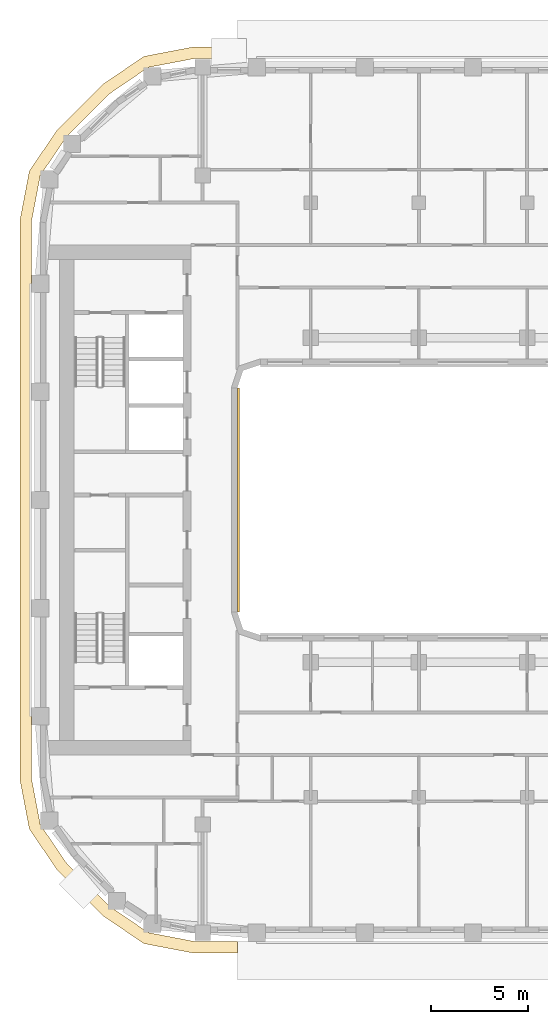
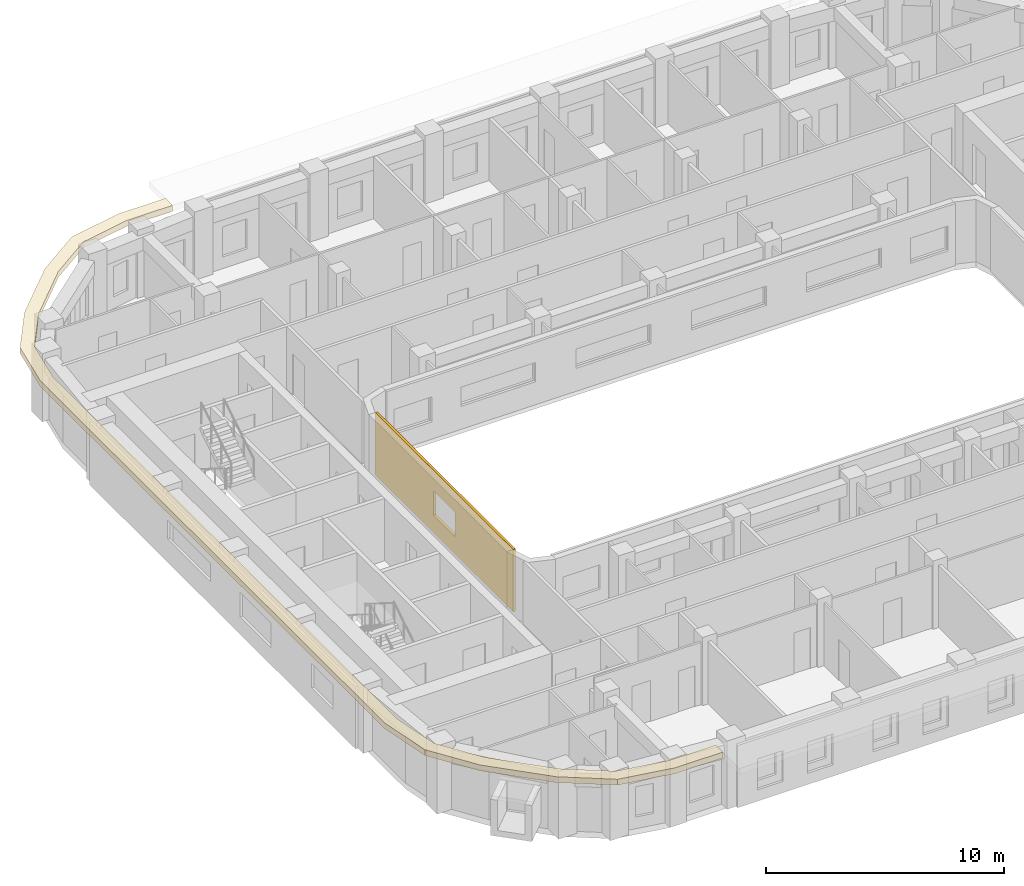
# One storey, part 13 of 21: 2 coverings.
"""IFC4 building model written with IfcOpenShell, lengths in metres."""

from ifc_helpers import new_model, si_unit, direction, frame, origin, place, context, subcontext, project, spatial, polyline, outline, extrude, material, layer, layer_set, type_object, element, save


model = new_model("IFC4")

# Units and contexts
model_context = context("Model", 3, precision=1e-05, world=origin(), true_north=direction((0.0, 1.0)))
body_context = subcontext(model_context, "Body", "Model", "MODEL_VIEW")
ifc_project = project(units=[si_unit("LENGTHUNIT", "METRE"), si_unit("AREAUNIT", "SQUARE_METRE"), si_unit("VOLUMEUNIT", "CUBIC_METRE"), si_unit("PLANEANGLEUNIT", "RADIAN"), si_unit("MASSUNIT", "GRAM", prefix="KILO")], contexts=[model_context])

# Site, building, storey
site_placement = place(None, origin())
site = spatial("IfcSite", under=ifc_project, at=site_placement, CompositionType="ELEMENT")
building_placement = place(site_placement, origin())
building = spatial("IfcBuilding", under=site, at=building_placement, Name="Kiln Ring Residences", CompositionType="ELEMENT")
storey_placement = place(building_placement, frame((0.0, 0.0, 195.89990234375)))
storey = spatial("IfcBuildingStorey", under=building, at=storey_placement, Name="L50", CompositionType="ELEMENT", Elevation=195.89990234375)

# Coverings
ifc_material_1 = material(Name="Brick masonry, dark clay brick", Category="masonry")
ifc_layer_1 = layer(ifc_material_1, 0.1201171875)
ifc_layer_set_1 = layer_set([ifc_layer_1], Name="RAINSCREEN PANEL 120")
covering_type_1 = type_object("IfcCoveringType", Name="RAINSCREEN PANEL 120", PredefinedType="CLADDING", material=ifc_layer_set_1)
covering_1_placement = place(storey_placement, frame((-14.93994140625, -5.800048828125, 0.0), z_axis=(0.0, 0.0, 1.0), x_axis=(0.0, 1.0, 0.0)))
element("IfcCovering", 1, at=covering_1_placement, inside=storey, type_object=covering_type_1, Name="RAINSCREEN L50", PredefinedType="CLADDING", context=body_context, shape_type="SweptSolid", body=[
    extrude(outline(polyline([(0.0, 0.0), (11.60009765625, 0.0), (11.60009765625, 3.2001953125), (0.0, 3.2001953125), (0.0, 0.0)]), holes=[polyline([(4.89990234375, 2.150146484375), (4.89990234375, 0.900146484375), (6.699951171875, 0.900146484375), (6.699951171875, 2.150146484375), (4.89990234375, 2.150146484375)])]), frame((0.0, 0.06005859375, 0.0), z_axis=(0.0, -1.0, 0.0), x_axis=(1.0, 0.0, 0.0)), (0.0, 0.0, 1.0), 0.1201171875),
])
ifc_material_2 = material(Name="Black powder-coated steel", Category="steel")
ifc_layer_2 = layer(ifc_material_2, 0.300048828125)
ifc_layer_set_2 = layer_set([ifc_layer_2], Name="SUNSHADE FIN 600")
covering_type_2 = type_object("IfcCoveringType", Name="SUNSHADE FIN 600", PredefinedType="CLADDING", material=ifc_layer_set_2)
covering_2_placement = place(storey_placement, frame((0.0, 0.0, 3.2001953125)))
element("IfcCovering", 2, at=covering_2_placement, inside=storey, type_object=covering_type_2, Name="SUNSHADE FIN L50", PredefinedType="CLADDING", context=body_context, shape_type="SweptSolid", body=[
    extrude(outline(polyline([(-26.25, -14.499267578125), (-25.766357421875, -17.03466796875), (-24.315673828125, -19.169189453125), (-21.96923828125, -21.515625), (-19.834716796875, -22.96630859375), (-17.29931640625, -23.449951171875), (-15.0, -23.449951171875), (-15.0, -22.85009765625), (-17.242431640625, -22.85009765625), (-19.60009765625, -22.400390625), (-21.585205078125, -21.05126953125), (-23.851318359375, -18.78515625), (-25.2001953125, -16.800048828125), (-25.64990234375, -14.4423828125), (-25.64990234375, 14.4423828125), (-25.2001953125, 16.800048828125), (-23.851318359375, 18.78515625), (-21.585205078125, 21.05126953125), (-19.60009765625, 22.400390625), (-17.242431640625, 22.85009765625), (-15.0, 22.85009765625), (-15.0, 23.449951171875), (-17.29931640625, 23.449951171875), (-19.834716796875, 22.96630859375), (-21.96923828125, 21.515625), (-24.315673828125, 19.169189453125), (-25.766357421875, 17.03466796875), (-26.25, 14.499267578125), (-26.25, -14.499267578125)])), origin(), (0.0, 0.0, 1.0), 0.2998046875),
])

save(model, "model.ifc")
